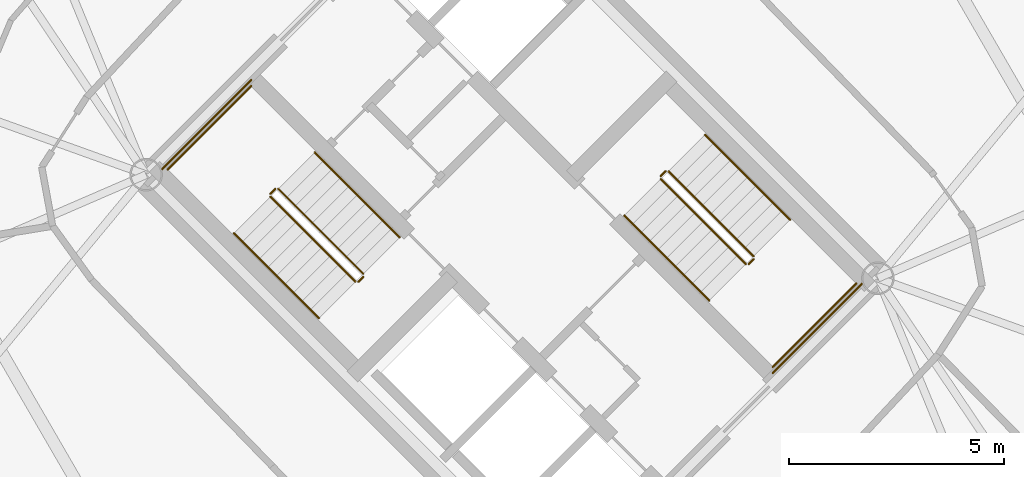
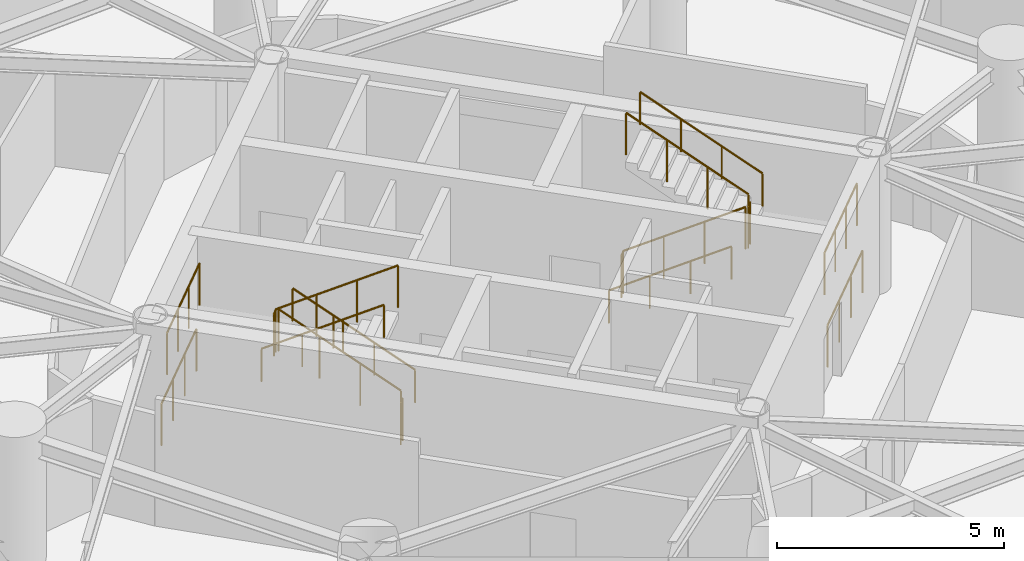
# One storey, part 20 of 20: 16 railings.
"""IFC4 building model written with IfcOpenShell, lengths in metres."""

from ifc_helpers import new_model, si_unit, direction, frame, origin, origin_2d, place, context, subcontext, project, spatial, circle, extrude, material, type_object, element, save


model = new_model("IFC4")

# Units and contexts
model_context = context("Model", 3, precision=1e-05, world=origin(), true_north=direction((0.0, 1.0)))
body_context = subcontext(model_context, "Body", "Model", "MODEL_VIEW")
ifc_project = project(units=[si_unit("LENGTHUNIT", "METRE"), si_unit("AREAUNIT", "SQUARE_METRE"), si_unit("VOLUMEUNIT", "CUBIC_METRE"), si_unit("PLANEANGLEUNIT", "RADIAN"), si_unit("MASSUNIT", "GRAM", prefix="KILO")], contexts=[model_context])

# Site, building, storey
site_placement = place(None, origin())
site = spatial("IfcSite", under=ifc_project, at=site_placement, CompositionType="ELEMENT")
building_placement = place(site_placement, origin())
building = spatial("IfcBuilding", under=site, at=building_placement, Name="Cununo Teusaquillo Station Towers", CompositionType="ELEMENT")
storey_placement = place(building_placement, frame((0.0, 0.0, 129.159912109375)))
storey = spatial("IfcBuildingStorey", under=building, at=storey_placement, Name="L41", CompositionType="ELEMENT", Elevation=129.159912109375)

# Railings
ifc_material_1 = material(Name="Steel EN 10025-2 S355J2", Category="steel")
railing_type_1 = type_object("IfcRailingType", Name="RL-INT-GUARD", PredefinedType="GUARDRAIL", material=ifc_material_1)
railing_1_placement = place(storey_placement, frame((54.03515625, 23.39697265625, 0.169189453125)))
element("IfcRailing", 1, at=railing_1_placement, inside=storey, type_object=railing_type_1, Name="L41 ST-T2-1 stair guard 1", PredefinedType="GUARDRAIL", context=body_context, shape_type="SweptSolid", body=[
    extrude(circle(Radius=0.02392578125, at=origin_2d()), frame((0.0, 0.0, 1.1259765625), z_axis=(-0.60528201841, 0.60528201841, 0.516979067642), x_axis=(-0.707106781187, -0.707106781187, 0.0)), (0.0, 0.0, 1.0), 3.270751953125),
    extrude(circle(Radius=0.02099609375, at=origin_2d()), origin(), (0.0, 0.0, 1.0), 1.101806640625),
    extrude(circle(Radius=0.02099609375, at=origin_2d()), frame((-0.659912109375, 0.659912109375, 0.563720703125)), (0.0, 0.0, 1.0), 1.101806640625),
    extrude(circle(Radius=0.02099609375, at=origin_2d()), frame((-1.31982421875, 1.31982421875, 1.127197265625)), (0.0, 0.0, 1.0), 1.101806640625),
    extrude(circle(Radius=0.02099609375, at=origin_2d()), frame((-1.979736328125, 1.979736328125, 1.69091796875)), (0.0, 0.0, 1.0), 1.101806640625),
])
railing_2_placement = place(storey_placement, frame((51.984619140625, 25.376708984375, 1.860107421875)))
element("IfcRailing", 2, at=railing_2_placement, inside=storey, type_object=railing_type_1, Name="L41 ST-T2-1 stair guard 2", PredefinedType="GUARDRAIL", context=body_context, shape_type="SweptSolid", body=[
    extrude(circle(Radius=0.02392578125, at=origin_2d()), frame((0.0, 0.0, 1.1259765625), z_axis=(-0.707106781187, -0.707106781187, 0.0), x_axis=(0.707106781187, -0.707106781187, 0.0)), (0.0, 0.0, 1.0), 0.159912109375),
    extrude(circle(Radius=0.02099609375, at=origin_2d()), origin(), (0.0, 0.0, 1.0), 1.101806640625),
    extrude(circle(Radius=0.02099609375, at=origin_2d()), frame((-0.113037109375, -0.113037109375, 0.0)), (0.0, 0.0, 1.0), 1.101806640625),
])
railing_3_placement = place(storey_placement, frame((51.426025390625, 27.77392578125, 1.860107421875)))
element("IfcRailing", 3, at=railing_3_placement, inside=storey, type_object=railing_type_1, Name="L41 ST-T2-1 stair guard 3", PredefinedType="GUARDRAIL", context=body_context, shape_type="SweptSolid", body=[
    extrude(circle(Radius=0.02392578125, at=origin_2d()), frame((0.0, 0.0, 1.1259765625), z_axis=(-0.707106781187, -0.707106781187, 0.0), x_axis=(0.707106781187, -0.707106781187, 0.0)), (0.0, 0.0, 1.0), 2.760009765625),
    extrude(circle(Radius=0.02099609375, at=origin_2d()), origin(), (0.0, 0.0, 1.0), 1.101806640625),
    extrude(circle(Radius=0.02099609375, at=origin_2d()), frame((-0.650634765625, -0.650634765625, 0.0)), (0.0, 0.0, 1.0), 1.101806640625),
    extrude(circle(Radius=0.02099609375, at=origin_2d()), frame((-1.301025390625, -1.301025390625, 0.0)), (0.0, 0.0, 1.0), 1.101806640625),
    extrude(circle(Radius=0.02099609375, at=origin_2d()), frame((-1.95166015625, -1.95166015625, 0.0)), (0.0, 0.0, 1.0), 1.101806640625),
])
railing_4_placement = place(storey_placement, frame((51.87158203125, 25.19287109375, 2.029296875)))
element("IfcRailing", 4, at=railing_4_placement, inside=storey, type_object=railing_type_1, Name="L41 ST-T2-1 stair guard 4", PredefinedType="GUARDRAIL", context=body_context, shape_type="SweptSolid", body=[
    extrude(circle(Radius=0.02392578125, at=origin_2d()), frame((0.0, 0.0, 1.1259765625), z_axis=(0.605305375298, -0.605305375298, 0.516924370938), x_axis=(0.707106781187, 0.707106781187, 0.0)), (0.0, 0.0, 1.0), 3.270751953125),
    extrude(circle(Radius=0.02099609375, at=origin_2d()), origin(), (0.0, 0.0, 1.0), 1.101806640625),
    extrude(circle(Radius=0.02099609375, at=origin_2d()), frame((0.659912109375, -0.659912109375, 0.5634765625)), (0.0, 0.0, 1.0), 1.101806640625),
    extrude(circle(Radius=0.02099609375, at=origin_2d()), frame((1.31982421875, -1.31982421875, 1.127197265625)), (0.0, 0.0, 1.0), 1.101806640625),
    extrude(circle(Radius=0.02099609375, at=origin_2d()), frame((1.979736328125, -1.979736328125, 1.690673828125)), (0.0, 0.0, 1.0), 1.101806640625),
])
railing_5_placement = place(storey_placement, frame((54.03515625, 23.326171875, 0.0)))
element("IfcRailing", 5, at=railing_5_placement, inside=storey, type_object=railing_type_1, Name="L41 ST-T2-1 stair guard 5", PredefinedType="GUARDRAIL", context=body_context, shape_type="SweptSolid", body=[
    extrude(circle(Radius=0.02392578125, at=origin_2d()), frame((0.0, 0.0, 1.1259765625), z_axis=(-0.707106781187, -0.707106781187, 0.0), x_axis=(0.707106781187, -0.707106781187, 0.0)), (0.0, 0.0, 1.0), 0.159912109375),
    extrude(circle(Radius=0.02099609375, at=origin_2d()), origin(), (0.0, 0.0, 1.0), 1.101806640625),
    extrude(circle(Radius=0.02099609375, at=origin_2d()), frame((-0.113037109375, -0.113037109375, 0.0)), (0.0, 0.0, 1.0), 1.101806640625),
])
railing_6_placement = place(storey_placement, frame((51.426025390625, 27.915283203125, 0.0)))
element("IfcRailing", 6, at=railing_6_placement, inside=storey, type_object=railing_type_1, Name="L41 ST-T2-1 stair guard 6", PredefinedType="GUARDRAIL", context=body_context, shape_type="SweptSolid", body=[
    extrude(circle(Radius=0.02392578125, at=origin_2d()), frame((0.0, 0.0, 1.1259765625), z_axis=(-0.707106781187, -0.707106781187, 0.0), x_axis=(0.707106781187, -0.707106781187, 0.0)), (0.0, 0.0, 1.0), 2.9599609375),
    extrude(circle(Radius=0.02099609375, at=origin_2d()), origin(), (0.0, 0.0, 1.0), 1.101806640625),
    extrude(circle(Radius=0.02099609375, at=origin_2d()), frame((-0.69775390625, -0.69775390625, 0.0)), (0.0, 0.0, 1.0), 1.101806640625),
    extrude(circle(Radius=0.02099609375, at=origin_2d()), frame((-1.395263671875, -1.395263671875, 0.0)), (0.0, 0.0, 1.0), 1.101806640625),
    extrude(circle(Radius=0.02099609375, at=origin_2d()), frame((-2.093017578125, -2.093017578125, 0.0)), (0.0, 0.0, 1.0), 1.101806640625),
])
railing_7_placement = place(storey_placement, frame((60.96484375, 25.60302734375, 0.169189453125)))
element("IfcRailing", 7, at=railing_7_placement, inside=storey, type_object=railing_type_1, Name="L41 ST-T2-2 stair guard 1", PredefinedType="GUARDRAIL", context=body_context, shape_type="SweptSolid", body=[
    extrude(circle(Radius=0.02392578125, at=origin_2d()), frame((0.0, 0.0, 1.1259765625), z_axis=(0.60528201841, -0.60528201841, 0.516979067642), x_axis=(0.707106781187, 0.707106781187, 0.0)), (0.0, 0.0, 1.0), 3.270751953125),
    extrude(circle(Radius=0.02099609375, at=origin_2d()), origin(), (0.0, 0.0, 1.0), 1.101806640625),
    extrude(circle(Radius=0.02099609375, at=origin_2d()), frame((0.659912109375, -0.659912109375, 0.563720703125)), (0.0, 0.0, 1.0), 1.101806640625),
    extrude(circle(Radius=0.02099609375, at=origin_2d()), frame((1.31982421875, -1.31982421875, 1.127197265625)), (0.0, 0.0, 1.0), 1.101806640625),
    extrude(circle(Radius=0.02099609375, at=origin_2d()), frame((1.979736328125, -1.979736328125, 1.69091796875)), (0.0, 0.0, 1.0), 1.101806640625),
])
railing_8_placement = place(storey_placement, frame((63.015380859375, 23.623291015625, 1.860107421875)))
element("IfcRailing", 8, at=railing_8_placement, inside=storey, type_object=railing_type_1, Name="L41 ST-T2-2 stair guard 2", PredefinedType="GUARDRAIL", context=body_context, shape_type="SweptSolid", body=[
    extrude(circle(Radius=0.02392578125, at=origin_2d()), frame((0.0, 0.0, 1.1259765625), z_axis=(0.707106781187, 0.707106781187, 0.0), x_axis=(-0.707106781187, 0.707106781187, 0.0)), (0.0, 0.0, 1.0), 0.159912109375),
    extrude(circle(Radius=0.02099609375, at=origin_2d()), origin(), (0.0, 0.0, 1.0), 1.101806640625),
    extrude(circle(Radius=0.02099609375, at=origin_2d()), frame((0.113037109375, 0.113037109375, 0.0)), (0.0, 0.0, 1.0), 1.101806640625),
])
railing_9_placement = place(storey_placement, frame((63.573974609375, 21.22607421875, 1.860107421875)))
element("IfcRailing", 9, at=railing_9_placement, inside=storey, type_object=railing_type_1, Name="L41 ST-T2-2 stair guard 3", PredefinedType="GUARDRAIL", context=body_context, shape_type="SweptSolid", body=[
    extrude(circle(Radius=0.02392578125, at=origin_2d()), frame((0.0, 0.0, 1.1259765625), z_axis=(0.707106781187, 0.707106781187, 0.0), x_axis=(-0.707106781187, 0.707106781187, 0.0)), (0.0, 0.0, 1.0), 2.760009765625),
    extrude(circle(Radius=0.02099609375, at=origin_2d()), origin(), (0.0, 0.0, 1.0), 1.101806640625),
    extrude(circle(Radius=0.02099609375, at=origin_2d()), frame((0.650634765625, 0.650634765625, 0.0)), (0.0, 0.0, 1.0), 1.101806640625),
    extrude(circle(Radius=0.02099609375, at=origin_2d()), frame((1.301025390625, 1.301025390625, 0.0)), (0.0, 0.0, 1.0), 1.101806640625),
    extrude(circle(Radius=0.02099609375, at=origin_2d()), frame((1.95166015625, 1.95166015625, 0.0)), (0.0, 0.0, 1.0), 1.101806640625),
])
railing_10_placement = place(storey_placement, frame((63.12841796875, 23.80712890625, 2.029296875)))
element("IfcRailing", 10, at=railing_10_placement, inside=storey, type_object=railing_type_1, Name="L41 ST-T2-2 stair guard 4", PredefinedType="GUARDRAIL", context=body_context, shape_type="SweptSolid", body=[
    extrude(circle(Radius=0.02392578125, at=origin_2d()), frame((0.0, 0.0, 1.1259765625), z_axis=(-0.605305375298, 0.605305375298, 0.516924370938), x_axis=(-0.707106781187, -0.707106781187, 0.0)), (0.0, 0.0, 1.0), 3.270751953125),
    extrude(circle(Radius=0.02099609375, at=origin_2d()), origin(), (0.0, 0.0, 1.0), 1.101806640625),
    extrude(circle(Radius=0.02099609375, at=origin_2d()), frame((-0.659912109375, 0.659912109375, 0.5634765625)), (0.0, 0.0, 1.0), 1.101806640625),
    extrude(circle(Radius=0.02099609375, at=origin_2d()), frame((-1.31982421875, 1.31982421875, 1.127197265625)), (0.0, 0.0, 1.0), 1.101806640625),
    extrude(circle(Radius=0.02099609375, at=origin_2d()), frame((-1.979736328125, 1.979736328125, 1.690673828125)), (0.0, 0.0, 1.0), 1.101806640625),
])
railing_11_placement = place(storey_placement, frame((60.96484375, 25.673828125, 0.0)))
element("IfcRailing", 11, at=railing_11_placement, inside=storey, type_object=railing_type_1, Name="L41 ST-T2-2 stair guard 5", PredefinedType="GUARDRAIL", context=body_context, shape_type="SweptSolid", body=[
    extrude(circle(Radius=0.02392578125, at=origin_2d()), frame((0.0, 0.0, 1.1259765625), z_axis=(0.707106781187, 0.707106781187, 0.0), x_axis=(-0.707106781187, 0.707106781187, 0.0)), (0.0, 0.0, 1.0), 0.159912109375),
    extrude(circle(Radius=0.02099609375, at=origin_2d()), origin(), (0.0, 0.0, 1.0), 1.101806640625),
    extrude(circle(Radius=0.02099609375, at=origin_2d()), frame((0.113037109375, 0.113037109375, 0.0)), (0.0, 0.0, 1.0), 1.101806640625),
])
railing_12_placement = place(storey_placement, frame((63.573974609375, 21.084716796875, 0.0)))
element("IfcRailing", 12, at=railing_12_placement, inside=storey, type_object=railing_type_1, Name="L41 ST-T2-2 stair guard 6", PredefinedType="GUARDRAIL", context=body_context, shape_type="SweptSolid", body=[
    extrude(circle(Radius=0.02392578125, at=origin_2d()), frame((0.0, 0.0, 1.1259765625), z_axis=(0.707106781187, 0.707106781187, 0.0), x_axis=(-0.707106781187, 0.707106781187, 0.0)), (0.0, 0.0, 1.0), 2.9599609375),
    extrude(circle(Radius=0.02099609375, at=origin_2d()), origin(), (0.0, 0.0, 1.0), 1.101806640625),
    extrude(circle(Radius=0.02099609375, at=origin_2d()), frame((0.69775390625, 0.69775390625, 0.0)), (0.0, 0.0, 1.0), 1.101806640625),
    extrude(circle(Radius=0.02099609375, at=origin_2d()), frame((1.395263671875, 1.395263671875, 0.0)), (0.0, 0.0, 1.0), 1.101806640625),
    extrude(circle(Radius=0.02099609375, at=origin_2d()), frame((2.093017578125, 2.093017578125, 0.0)), (0.0, 0.0, 1.0), 1.101806640625),
])
ifc_material_2 = material(Name="Steel EN 10025-2 S355J2", Category="steel")
railing_type_2 = type_object("IfcRailingType", Name="RL-INT-HRAIL", PredefinedType="HANDRAIL", material=ifc_material_2)
railing_13_placement = place(storey_placement, frame((54.8837890625, 24.245361328125, 0.169189453125)))
element("IfcRailing", 13, at=railing_13_placement, inside=storey, type_object=railing_type_2, Name="L41 ST-T2-1 stair handrail 1", PredefinedType="HANDRAIL", context=body_context, shape_type="SweptSolid", body=[
    extrude(circle(Radius=0.02392578125, at=origin_2d()), frame((0.0, 0.0, 0.8759765625), z_axis=(-0.605301965407, 0.605301965407, 0.516932356647), x_axis=(-0.707106781187, -0.707106781187, 0.0)), (0.0, 0.0, 1.0), 3.27099609375),
    extrude(circle(Radius=0.02099609375, at=origin_2d()), origin(), (0.0, 0.0, 1.0), 0.851806640625),
    extrude(circle(Radius=0.02099609375, at=origin_2d()), frame((-0.659912109375, 0.659912109375, 0.563720703125)), (0.0, 0.0, 1.0), 0.851806640625),
    extrude(circle(Radius=0.02099609375, at=origin_2d()), frame((-1.320068359375, 1.320068359375, 1.127197265625)), (0.0, 0.0, 1.0), 0.851806640625),
    extrude(circle(Radius=0.02099609375, at=origin_2d()), frame((-1.97998046875, 1.97998046875, 1.69091796875)), (0.0, 0.0, 1.0), 0.851806640625),
])
railing_14_placement = place(storey_placement, frame((51.02294921875, 24.344482421875, 2.029296875)))
element("IfcRailing", 14, at=railing_14_placement, inside=storey, type_object=railing_type_2, Name="L41 ST-T2-1 stair handrail 2", PredefinedType="HANDRAIL", context=body_context, shape_type="SweptSolid", body=[
    extrude(circle(Radius=0.02392578125, at=origin_2d()), frame((0.0, 0.0, 0.8759765625), z_axis=(0.605325318844, -0.605325318844, 0.516877661282), x_axis=(0.707106781187, 0.707106781187, 0.0)), (0.0, 0.0, 1.0), 3.27099609375),
    extrude(circle(Radius=0.02099609375, at=origin_2d()), origin(), (0.0, 0.0, 1.0), 0.851806640625),
    extrude(circle(Radius=0.02099609375, at=origin_2d()), frame((0.659912109375, -0.659912109375, 0.5634765625)), (0.0, 0.0, 1.0), 0.851806640625),
    extrude(circle(Radius=0.02099609375, at=origin_2d()), frame((1.320068359375, -1.320068359375, 1.127197265625)), (0.0, 0.0, 1.0), 0.851806640625),
    extrude(circle(Radius=0.02099609375, at=origin_2d()), frame((1.97998046875, -1.97998046875, 1.690673828125)), (0.0, 0.0, 1.0), 0.851806640625),
])
railing_15_placement = place(storey_placement, frame((60.1162109375, 24.754638671875, 0.169189453125)))
element("IfcRailing", 15, at=railing_15_placement, inside=storey, type_object=railing_type_2, Name="L41 ST-T2-2 stair handrail 1", PredefinedType="HANDRAIL", context=body_context, shape_type="SweptSolid", body=[
    extrude(circle(Radius=0.02392578125, at=origin_2d()), frame((0.0, 0.0, 0.8759765625), z_axis=(0.605301965407, -0.605301965407, 0.516932356647), x_axis=(0.707106781187, 0.707106781187, 0.0)), (0.0, 0.0, 1.0), 3.27099609375),
    extrude(circle(Radius=0.02099609375, at=origin_2d()), origin(), (0.0, 0.0, 1.0), 0.851806640625),
    extrude(circle(Radius=0.02099609375, at=origin_2d()), frame((0.659912109375, -0.659912109375, 0.563720703125)), (0.0, 0.0, 1.0), 0.851806640625),
    extrude(circle(Radius=0.02099609375, at=origin_2d()), frame((1.320068359375, -1.320068359375, 1.127197265625)), (0.0, 0.0, 1.0), 0.851806640625),
    extrude(circle(Radius=0.02099609375, at=origin_2d()), frame((1.97998046875, -1.97998046875, 1.69091796875)), (0.0, 0.0, 1.0), 0.851806640625),
])
railing_16_placement = place(storey_placement, frame((63.97705078125, 24.655517578125, 2.029296875)))
element("IfcRailing", 16, at=railing_16_placement, inside=storey, type_object=railing_type_2, Name="L41 ST-T2-2 stair handrail 2", PredefinedType="HANDRAIL", context=body_context, shape_type="SweptSolid", body=[
    extrude(circle(Radius=0.02392578125, at=origin_2d()), frame((0.0, 0.0, 0.8759765625), z_axis=(-0.605325318844, 0.605325318844, 0.516877661282), x_axis=(-0.707106781187, -0.707106781187, 0.0)), (0.0, 0.0, 1.0), 3.27099609375),
    extrude(circle(Radius=0.02099609375, at=origin_2d()), origin(), (0.0, 0.0, 1.0), 0.851806640625),
    extrude(circle(Radius=0.02099609375, at=origin_2d()), frame((-0.659912109375, 0.659912109375, 0.5634765625)), (0.0, 0.0, 1.0), 0.851806640625),
    extrude(circle(Radius=0.02099609375, at=origin_2d()), frame((-1.320068359375, 1.320068359375, 1.127197265625)), (0.0, 0.0, 1.0), 0.851806640625),
    extrude(circle(Radius=0.02099609375, at=origin_2d()), frame((-1.97998046875, 1.97998046875, 1.690673828125)), (0.0, 0.0, 1.0), 0.851806640625),
])

save(model, "model.ifc")
